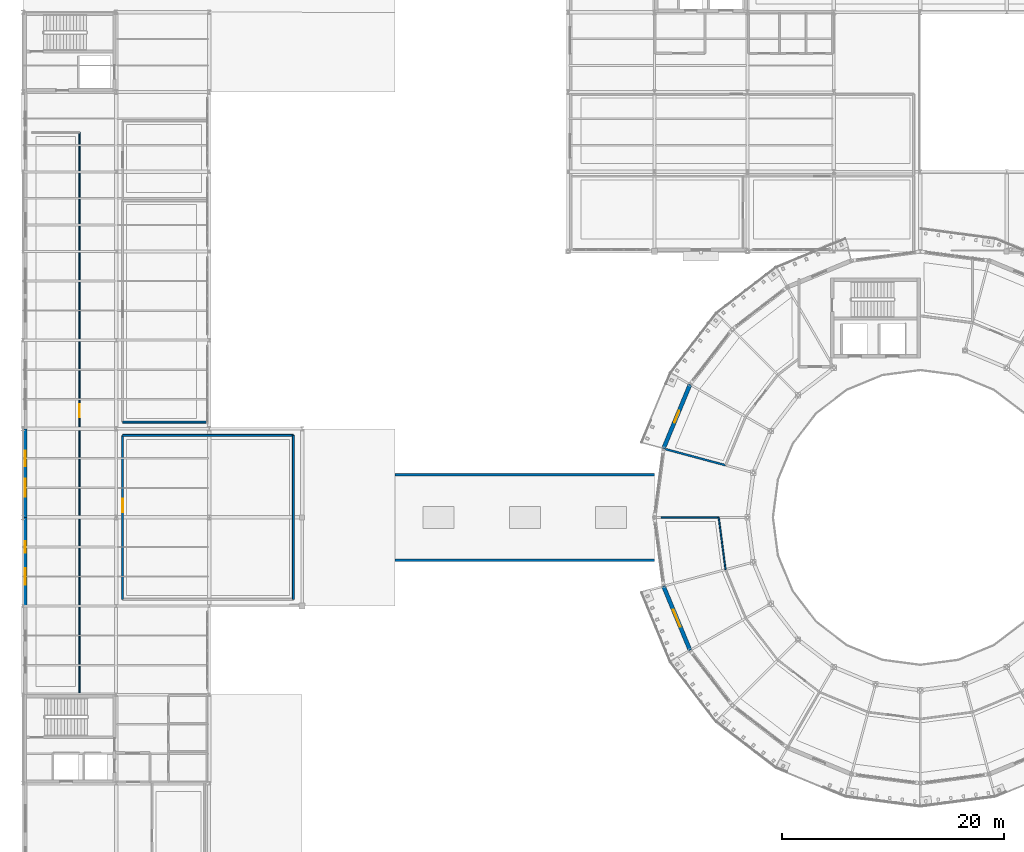
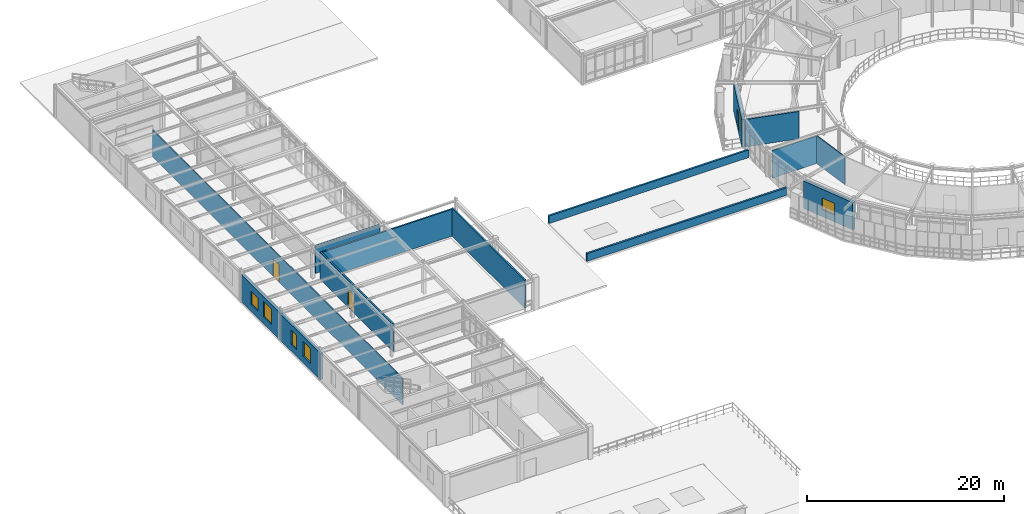
# One storey, part 54 of 70: 14 walls, 5 windows, 3 doors, 8 openings.
"""IFC4 building model written with IfcOpenShell, lengths in metres."""

from ifc_helpers import new_model, si_unit, derived_unit, direction, frame, frame_2d, origin, place, context, subcontext, project, spatial, rectangle, extrude, material, layer, layer_set, type_object, element, fill, save


model = new_model("IFC4")

# Units and contexts
model_context = context("Model", 3, precision=1e-05, world=origin(), true_north=direction((0.0, 1.0)))
body_context = subcontext(model_context, "Body", "Model", "MODEL_VIEW")
ifc_project = project(units=[si_unit("LENGTHUNIT", "METRE"), si_unit("AREAUNIT", "SQUARE_METRE"), si_unit("VOLUMEUNIT", "CUBIC_METRE"), si_unit("PLANEANGLEUNIT", "RADIAN"), si_unit("MASSUNIT", "GRAM", prefix="KILO"), derived_unit("THERMALTRANSMITTANCEUNIT", [(si_unit("POWERUNIT", "WATT"), 1), (si_unit("AREAUNIT", "SQUARE_METRE"), -1), (si_unit("THERMODYNAMICTEMPERATUREUNIT", "KELVIN"), -1)])], contexts=[model_context])

# Site, building, storey
site_placement = place(None, origin())
site = spatial("IfcSite", under=ifc_project, at=site_placement, CompositionType="ELEMENT")
building_placement = place(site_placement, origin())
building = spatial("IfcBuilding", under=site, at=building_placement, Name="Yasenodar Specialist Clinic", CompositionType="ELEMENT")
storey_placement = place(building_placement, frame((0.0, 0.0, 13.199951171875)))
storey = spatial("IfcBuildingStorey", under=building, at=storey_placement, Name="L03", CompositionType="ELEMENT", Elevation=13.199951171875)

# Wall, opening, door
ifc_material_1 = material(Name="Drum Insulated Terracotta Chord Wall", Category="masonry")
ifc_layer_1 = layer(ifc_material_1, 0.364990234375)
ifc_layer_set_1 = layer_set([ifc_layer_1], Name="Drum Insulated Terracotta Chord Wall")
wall_type_1 = type_object("IfcWallType", Name="EW-DRUM-365", PredefinedType="SOLIDWALL", material=ifc_layer_set_1)
wall_1_placement = place(storey_placement, frame((57.81787109375, 65.01171875, 0.0), z_axis=(0.0, 0.0, 1.0), x_axis=(0.382663829839, 0.9238876519, 0.0)))
wall_1 = element("IfcWall", 1, at=wall_1_placement, inside=storey, type_object=wall_type_1, Name="L03 Exterior Facade Wall 0027", PredefinedType="SOLIDWALL", context=body_context, shape_type="SweptSolid", body=[
    extrude(rectangle(XDim=6.26513671875, YDim=0.364990234375, at=frame_2d((3.132568359375, 0.0))), origin(), (0.0, 0.0, 1.0), 3.387939453125),
])
opening_1_placement = place(wall_1_placement, frame((2.5576171875, 0.0, 0.0)))
opening_1 = element("IfcOpeningElement", 2, at=opening_1_placement, cuts=wall_1, Name="Opening BD-02", PredefinedType="OPENING", context=body_context, shape_type="SweptSolid", body=[
    extrude(rectangle(XDim=1.14990234375, YDim=2.199951171875, at=frame_2d((0.574951171875, 1.10009765625))), frame((0.0, 0.1923828125, 0.0), z_axis=(0.0, -1.0, 0.0), x_axis=(1.0, 0.0, 0.0)), (0.0, 0.0, 1.0), 0.385009765625),
])
ifc_material_2 = material(Name="Thermally Broken Bronze Anodized Aluminium and Laminated Glass", Category="aluminium")
door_type_1 = type_object("IfcDoorType", Name="DR-BALC-115", OperationType="NOTDEFINED", PredefinedType="DOOR", material=ifc_material_2)
door_1_placement = place(opening_1_placement, origin())
door_1 = element("IfcDoor", 3, at=door_1_placement, inside=storey, type_object=door_type_1, Name="L03 Drum Balcony Access Door Sector 10", OperationType="SINGLE_SWING_RIGHT", OverallHeight=2.199951171875, OverallWidth=1.14990234375, PredefinedType="DOOR", context=body_context, shape_type="SweptSolid", body=[
    extrude(rectangle(XDim=1.14990234375, YDim=2.199951171875, at=frame_2d((0.574951171875, 1.10009765625))), frame((0.0, 0.02490234375, 0.0), z_axis=(0.0, -1.0, 0.0), x_axis=(1.0, 0.0, 0.0)), (0.0, 0.0, 1.0), 0.050048828125),
])
fill(opening_1, door_1)

# Wall, opening, window
wall_2_placement = place(storey_placement, frame((60.21533203125, 46.800048828125, 0.0), z_axis=(0.0, 0.0, 1.0), x_axis=(-0.382663829839, 0.9238876519, 0.0)))
wall_2 = element("IfcWall", 4, at=wall_2_placement, inside=storey, type_object=wall_type_1, Name="L03 Exterior Facade Wall 0028", PredefinedType="SOLIDWALL", context=body_context, shape_type="SweptSolid", body=[
    extrude(rectangle(XDim=6.26513671875, YDim=0.364990234375, at=frame_2d((3.132568359375, 0.0))), origin(), (0.0, 0.0, 1.0), 3.387939453125),
])
opening_2_placement = place(wall_2_placement, frame((2.3076171875, 0.0, 0.85009765625)))
opening_2 = element("IfcOpeningElement", 5, at=opening_2_placement, cuts=wall_2, Name="Opening W-20", PredefinedType="OPENING", context=body_context, shape_type="SweptSolid", body=[
    extrude(rectangle(XDim=1.64990234375, YDim=1.449951171875, at=frame_2d((0.824951171875, 0.72509765625))), frame((0.0, 0.1923828125, 0.0), z_axis=(0.0, -1.0, 0.0), x_axis=(1.0, 0.0, 0.0)), (0.0, 0.0, 1.0), 0.385009765625),
])
ifc_material_3 = material(Name="Triple Low-E Argon Glazing in Bronze Aluminium Frame", Category="aluminium")
window_type_1 = type_object("IfcWindowType", Name="WIN-EXT-20", PartitioningType="SINGLE_PANEL", PredefinedType="WINDOW", material=ifc_material_3)
window_1_placement = place(opening_2_placement, origin())
window_1 = element("IfcWindow", 6, at=window_1_placement, inside=storey, type_object=window_type_1, Name="L03 Triple-Glazed Reveal Window 0016", OverallHeight=1.449951171875, OverallWidth=1.64990234375, PartitioningType="SINGLE_PANEL", PredefinedType="WINDOW", context=body_context, shape_type="SweptSolid", body=[
    extrude(rectangle(XDim=1.64990234375, YDim=1.449951171875, at=frame_2d((0.824951171875, 0.72509765625))), frame((0.0, 0.030029296875, 0.0), z_axis=(0.0, -1.0, 0.0), x_axis=(1.0, 0.0, 0.0)), (0.0, 0.0, 1.0), 0.06005859375),
])
fill(opening_2, window_1)

# Wall, openings, windows
ifc_material_4 = material(Name="Buff Architectural Terracotta Rainscreen", Category="masonry")
ifc_layer_2 = layer(ifc_material_4, 0.340087890625)
ifc_layer_set_2 = layer_set([ifc_layer_2], Name="Buff Architectural Terracotta Rainscreen")
wall_type_2 = type_object("IfcWallType", Name="EW-TERR-340", PredefinedType="SOLIDWALL", material=ifc_layer_set_2)
wall_3_placement = place(storey_placement, frame((0.199951171875, 50.800048828125, 0.0), z_axis=(0.0, 0.0, 1.0), x_axis=(0.0, 1.0, 0.0)))
wall_3 = element("IfcWall", 7, at=wall_3_placement, inside=storey, type_object=wall_type_2, Name="L03 Exterior Facade Wall 0112", PredefinedType="SOLIDWALL", context=body_context, shape_type="SweptSolid", body=[
    extrude(rectangle(XDim=8.0, YDim=0.340087890625, at=frame_2d((4.0, 0.0))), origin(), (0.0, 0.0, 1.0), 3.278076171875),
])
opening_3_placement = place(wall_3_placement, frame((1.916748046875, 0.0, 0.85009765625)))
opening_3 = element("IfcOpeningElement", 8, at=opening_3_placement, cuts=wall_3, Name="Opening W-03", PredefinedType="OPENING", context=body_context, shape_type="SweptSolid", body=[
    extrude(rectangle(XDim=1.5, YDim=1.85009765625, at=frame_2d((0.75, 0.925048828125))), frame((0.0, 0.18017578125, 0.0), z_axis=(0.0, -1.0, 0.0), x_axis=(1.0, 0.0, 0.0)), (0.0, 0.0, 1.0), 0.360107421875),
])
opening_4_placement = place(wall_3_placement, frame((4.808349609375, 0.0, 0.85009765625)))
opening_4 = element("IfcOpeningElement", 9, at=opening_4_placement, cuts=wall_3, Name="Opening W-10", PredefinedType="OPENING", context=body_context, shape_type="SweptSolid", body=[
    extrude(rectangle(XDim=1.050048828125, YDim=1.75, at=frame_2d((0.52490234375, 0.875))), frame((0.0, 0.18017578125, 0.0), z_axis=(0.0, -1.0, 0.0), x_axis=(1.0, 0.0, 0.0)), (0.0, 0.0, 1.0), 0.360107421875),
])
window_type_2 = type_object("IfcWindowType", Name="WIN-EXT-03", PartitioningType="SINGLE_PANEL", PredefinedType="WINDOW", material=ifc_material_3)
window_2_placement = place(opening_3_placement, origin())
window_2 = element("IfcWindow", 10, at=window_2_placement, inside=storey, type_object=window_type_2, Name="L03 Triple-Glazed Reveal Window 0113", OverallHeight=1.85009765625, OverallWidth=1.5, PartitioningType="SINGLE_PANEL", PredefinedType="WINDOW", context=body_context, shape_type="SweptSolid", body=[
    extrude(rectangle(XDim=1.5, YDim=1.85009765625, at=frame_2d((0.75, 0.925048828125))), frame((0.0, 0.030029296875, 0.0), z_axis=(0.0, -1.0, 0.0), x_axis=(1.0, 0.0, 0.0)), (0.0, 0.0, 1.0), 0.06005859375),
])
fill(opening_3, window_2)
window_type_3 = type_object("IfcWindowType", Name="WIN-EXT-10", PartitioningType="SINGLE_PANEL", PredefinedType="WINDOW", material=ifc_material_3)
window_3_placement = place(opening_4_placement, origin())
window_3 = element("IfcWindow", 11, at=window_3_placement, inside=storey, type_object=window_type_3, Name="L03 Triple-Glazed Reveal Window 0114", OverallHeight=1.75, OverallWidth=1.050048828125, PartitioningType="SINGLE_PANEL", PredefinedType="WINDOW", context=body_context, shape_type="SweptSolid", body=[
    extrude(rectangle(XDim=1.050048828125, YDim=1.75, at=frame_2d((0.52490234375, 0.875))), frame((0.0, 0.030029296875, 0.0), z_axis=(0.0, -1.0, 0.0), x_axis=(1.0, 0.0, 0.0)), (0.0, 0.0, 1.0), 0.06005859375),
])
fill(opening_4, window_3)

wall_4_placement = place(storey_placement, frame((0.199951171875, 58.800048828125, 0.0), z_axis=(0.0, 0.0, 1.0), x_axis=(0.0, 1.0, 0.0)))
wall_4 = element("IfcWall", 12, at=wall_4_placement, inside=storey, type_object=wall_type_2, Name="L03 Exterior Facade Wall 0113", PredefinedType="SOLIDWALL", context=body_context, shape_type="SweptSolid", body=[
    extrude(rectangle(XDim=8.0, YDim=0.340087890625, at=frame_2d((4.0, 0.0))), origin(), (0.0, 0.0, 1.0), 3.338134765625),
])
opening_5_placement = place(wall_4_placement, frame((1.86669921875, 0.0, 0.85009765625)))
opening_5 = element("IfcOpeningElement", 13, at=opening_5_placement, cuts=wall_4, Name="Opening W-04", PredefinedType="OPENING", context=body_context, shape_type="SweptSolid", body=[
    extrude(rectangle(XDim=1.60009765625, YDim=1.89990234375, at=frame_2d((0.800048828125, 0.949951171875))), frame((0.0, 0.18017578125, 0.0), z_axis=(0.0, -1.0, 0.0), x_axis=(1.0, 0.0, 0.0)), (0.0, 0.0, 1.0), 0.360107421875),
])
opening_6_placement = place(wall_4_placement, frame((4.63330078125, 0.0, 0.85009765625)))
opening_6 = element("IfcOpeningElement", 14, at=opening_6_placement, cuts=wall_4, Name="Opening W-11", PredefinedType="OPENING", context=body_context, shape_type="SweptSolid", body=[
    extrude(rectangle(XDim=1.39990234375, YDim=1.64990234375, at=frame_2d((0.699951171875, 0.824951171875))), frame((0.0, 0.18017578125, 0.0), z_axis=(0.0, -1.0, 0.0), x_axis=(1.0, 0.0, 0.0)), (0.0, 0.0, 1.0), 0.360107421875),
])
window_type_4 = type_object("IfcWindowType", Name="WIN-EXT-04", PartitioningType="SINGLE_PANEL", PredefinedType="WINDOW", material=ifc_material_3)
window_4_placement = place(opening_5_placement, origin())
window_4 = element("IfcWindow", 15, at=window_4_placement, inside=storey, type_object=window_type_4, Name="L03 Triple-Glazed Reveal Window 0115", OverallHeight=1.89990234375, OverallWidth=1.60009765625, PartitioningType="SINGLE_PANEL", PredefinedType="WINDOW", context=body_context, shape_type="SweptSolid", body=[
    extrude(rectangle(XDim=1.60009765625, YDim=1.89990234375, at=frame_2d((0.800048828125, 0.949951171875))), frame((0.0, 0.030029296875, 0.0), z_axis=(0.0, -1.0, 0.0), x_axis=(1.0, 0.0, 0.0)), (0.0, 0.0, 1.0), 0.06005859375),
])
fill(opening_5, window_4)
window_type_5 = type_object("IfcWindowType", Name="WIN-EXT-11", PartitioningType="SINGLE_PANEL", PredefinedType="WINDOW", material=ifc_material_3)
window_5_placement = place(opening_6_placement, origin())
window_5 = element("IfcWindow", 16, at=window_5_placement, inside=storey, type_object=window_type_5, Name="L03 Triple-Glazed Reveal Window 0116", OverallHeight=1.64990234375, OverallWidth=1.39990234375, PartitioningType="SINGLE_PANEL", PredefinedType="WINDOW", context=body_context, shape_type="SweptSolid", body=[
    extrude(rectangle(XDim=1.39990234375, YDim=1.64990234375, at=frame_2d((0.699951171875, 0.824951171875))), frame((0.0, 0.030029296875, 0.0), z_axis=(0.0, -1.0, 0.0), x_axis=(1.0, 0.0, 0.0)), (0.0, 0.0, 1.0), 0.06005859375),
])
fill(opening_6, window_5)

# Wall, opening, door
ifc_material_5 = material(Name="Lightweight Counseling Partition")
ifc_layer_3 = layer(ifc_material_5, 0.114990234375)
ifc_layer_set_3 = layer_set([ifc_layer_3], Name="Lightweight Counseling Partition")
wall_type_3 = type_object("IfcWallType", Name="IW-PART-115", PredefinedType="PARTITIONING", material=ifc_layer_set_3)
wall_5_placement = place(storey_placement, frame((5.10009765625, 42.780029296875, 0.0), z_axis=(0.0, 0.0, 1.0), x_axis=(0.0, 1.0, 0.0)))
wall_5 = element("IfcWall", 17, at=wall_5_placement, inside=storey, type_object=wall_type_3, Name="L03 Ophthalmology Examination Suite Partition", PredefinedType="PARTITIONING", context=body_context, shape_type="SweptSolid", body=[
    extrude(rectangle(XDim=50.77001953125, YDim=0.114990234375, at=frame_2d((25.385009765625, 0.0))), origin(), (0.0, 0.0, 1.0), 3.278076171875),
])
opening_7_placement = place(wall_5_placement, frame((25.044921875, 0.0, 0.0)))
opening_7 = element("IfcOpeningElement", 18, at=opening_7_placement, cuts=wall_5, Name="Opening D-06", PredefinedType="OPENING", context=body_context, shape_type="SweptSolid", body=[
    extrude(rectangle(XDim=1.179931640625, YDim=2.199951171875, at=frame_2d((0.58984375, 1.10009765625))), frame((0.0, 0.0673828125, 0.0), z_axis=(0.0, -1.0, 0.0), x_axis=(1.0, 0.0, 0.0)), (0.0, 0.0, 1.0), 0.135009765625),
])
ifc_material_6 = material(Name="Powder-Coated Steel and Acoustic Laminate Leaf", Category="steel")
door_type_2 = type_object("IfcDoorType", Name="DR-CLN-118", OperationType="NOTDEFINED", PredefinedType="DOOR", material=ifc_material_6)
door_2_placement = place(opening_7_placement, origin())
door_2 = element("IfcDoor", 19, at=door_2_placement, inside=storey, type_object=door_type_2, Name="L03 Ophthalmology Examination Suite Door", OperationType="SINGLE_SWING_LEFT", OverallHeight=2.199951171875, OverallWidth=1.179931640625, PredefinedType="DOOR", context=body_context, shape_type="SweptSolid", body=[
    extrude(rectangle(XDim=1.179931640625, YDim=2.199951171875, at=frame_2d((0.58984375, 1.10009765625))), frame((0.0, 0.02490234375, 0.0), z_axis=(0.0, -1.0, 0.0), x_axis=(1.0, 0.0, 0.0)), (0.0, 0.0, 1.0), 0.050048828125),
])
fill(opening_7, door_2)

# Walls
ifc_material_7 = material(Name="Clinical Sub-Division Partition")
ifc_layer_4 = layer(ifc_material_7, 0.125)
ifc_layer_set_4 = layer_set([ifc_layer_4], Name="Clinical Sub-Division Partition")
wall_type_4 = type_object("IfcWallType", Name="IW-PART-125", PredefinedType="PARTITIONING", material=ifc_layer_set_4)
wall_6_placement = place(storey_placement, frame((62.800048828125, 58.800048828125, 0.0), z_axis=(0.0, 0.0, 1.0), x_axis=(0.130520975042, -0.991445548214, 0.0)))
element("IfcWall", 20, at=wall_6_placement, inside=storey, type_object=wall_type_4, Name="L03 Cardiac Arrhythmia Day-Monitoring Suite Partition", PredefinedType="PARTITIONING", context=body_context, shape_type="SweptSolid", body=[
    extrude(rectangle(XDim=4.7509765625, YDim=0.125, at=frame_2d((2.37548828125, 0.0))), origin(), (0.0, 0.0, 1.0), 3.41796875),
])
wall_7_placement = place(storey_placement, frame((57.60009765625, 58.800048828125, 0.0), z_axis=(0.0, 0.0, 1.0), x_axis=(1.0, 0.0, 0.0)))
element("IfcWall", 21, at=wall_7_placement, inside=storey, type_object=wall_type_4, Name="L03 Cardiac Arrhythmia Day-Monitoring Suite Partition", PredefinedType="PARTITIONING", context=body_context, shape_type="SweptSolid", body=[
    extrude(rectangle(XDim=5.199951171875, YDim=0.125, at=frame_2d((2.60009765625, 0.0))), origin(), (0.0, 0.0, 1.0), 3.41796875),
])
ifc_material_8 = material(Name="Hygienic Double-Stud Clinical Partition")
ifc_layer_5 = layer(ifc_material_8, 0.179931640625)
ifc_layer_set_5 = layer_set([ifc_layer_5], Name="Hygienic Double-Stud Clinical Partition")
wall_type_5 = type_object("IfcWallType", Name="IW-PROC-180", PredefinedType="PARTITIONING", material=ifc_layer_set_5)
wall_8_placement = place(storey_placement, frame((63.420166015625, 63.510498046875, 0.0), z_axis=(0.0, 0.0, 1.0), x_axis=(-0.965922914043, 0.258829913508, 0.0)))
element("IfcWall", 22, at=wall_8_placement, inside=storey, type_object=wall_type_5, Name="L03 Ambulatory Cataract Recovery Suite Partition", PredefinedType="PARTITIONING", context=body_context, shape_type="SweptSolid", body=[
    extrude(rectangle(XDim=5.635986328125, YDim=0.179931640625, at=frame_2d((2.81787109375, 0.0))), origin(), (0.0, 0.0, 1.0), 3.387939453125),
])

# Wall, opening, door
wall_9_placement = place(storey_placement, frame((9.0, 51.39990234375, 0.0), z_axis=(0.0, 0.0, 1.0), x_axis=(0.0, 1.0, 0.0)))
wall_9 = element("IfcWall", 23, at=wall_9_placement, inside=storey, type_object=wall_type_5, Name="L03 Orthopedic and Spine Clinic Partition", PredefinedType="PARTITIONING", context=body_context, shape_type="SweptSolid", body=[
    extrude(rectangle(XDim=14.800048828125, YDim=0.179931640625, at=frame_2d((7.39990234375, 0.0))), origin(), (0.0, 0.0, 1.0), 3.387939453125),
])
opening_8_placement = place(wall_9_placement, frame((7.85009765625, 0.0, 0.0)))
opening_8 = element("IfcOpeningElement", 24, at=opening_8_placement, cuts=wall_9, Name="Opening D-07", PredefinedType="OPENING", context=body_context, shape_type="SweptSolid", body=[
    extrude(rectangle(XDim=1.239990234375, YDim=2.199951171875, at=frame_2d((0.6201171875, 1.10009765625))), frame((0.0, 0.10009765625, 0.0), z_axis=(0.0, -1.0, 0.0), x_axis=(1.0, 0.0, 0.0)), (0.0, 0.0, 1.0), 0.199951171875),
])
door_type_3 = type_object("IfcDoorType", Name="DR-CLN-124", OperationType="NOTDEFINED", PredefinedType="DOOR", material=ifc_material_6)
door_3_placement = place(opening_8_placement, origin())
door_3 = element("IfcDoor", 25, at=door_3_placement, inside=storey, type_object=door_type_3, Name="L03 Orthopedic and Spine Clinic Door", OperationType="SINGLE_SWING_RIGHT", OverallHeight=2.199951171875, OverallWidth=1.239990234375, PredefinedType="DOOR", context=body_context, shape_type="SweptSolid", body=[
    extrude(rectangle(XDim=1.239990234375, YDim=2.199951171875, at=frame_2d((0.6201171875, 1.10009765625))), frame((0.0, 0.02490234375, 0.0), z_axis=(0.0, -1.0, 0.0), x_axis=(1.0, 0.0, 0.0)), (0.0, 0.0, 1.0), 0.050048828125),
])
fill(opening_8, door_3)

# Walls
wall_10_placement = place(storey_placement, frame((9.0, 66.199951171875, 0.0), z_axis=(0.0, 0.0, 1.0), x_axis=(1.0, 0.0, 0.0)))
element("IfcWall", 26, at=wall_10_placement, inside=storey, type_object=wall_type_5, Name="L03 Orthopedic and Spine Clinic Partition", PredefinedType="PARTITIONING", context=body_context, shape_type="SweptSolid", body=[
    extrude(rectangle(XDim=15.39990234375, YDim=0.179931640625, at=frame_2d((7.699951171875, 0.0))), origin(), (0.0, 0.0, 1.0), 3.328125),
])
wall_11_placement = place(storey_placement, frame((24.39990234375, 66.199951171875, 0.0), z_axis=(0.0, 0.0, 1.0), x_axis=(0.0, -1.0, 0.0)))
element("IfcWall", 27, at=wall_11_placement, inside=storey, type_object=wall_type_5, Name="L03 Orthopedic and Spine Clinic Partition", PredefinedType="PARTITIONING", context=body_context, shape_type="SweptSolid", body=[
    extrude(rectangle(XDim=14.800048828125, YDim=0.179931640625, at=frame_2d((7.39990234375, 0.0))), origin(), (0.0, 0.0, 1.0), 3.447998046875),
])
wall_12_placement = place(storey_placement, frame((16.590087890625, 67.39990234375, 0.0), z_axis=(0.0, 0.0, 1.0), x_axis=(-1.0, 0.0, 0.0)))
element("IfcWall", 28, at=wall_12_placement, inside=storey, type_object=wall_type_5, Name="L03 Plaster and Splint Procedure Room Partition", PredefinedType="PARTITIONING", context=body_context, shape_type="SweptSolid", body=[
    extrude(rectangle(XDim=7.590087890625, YDim=0.179931640625, at=frame_2d((3.794921875, 0.0))), origin(), (0.0, 0.0, 1.0), 3.3779296875),
])
ifc_material_9 = material(Name="Precast concrete C40/50", Category="concrete")
ifc_layer_6 = layer(ifc_material_9, 0.219970703125)
ifc_layer_set_6 = layer_set([ifc_layer_6], Name="Precast concrete C40/50")
wall_type_6 = type_object("IfcWallType", Name="WL-PAR-220", PredefinedType="PARAPET", material=ifc_layer_set_6)
for number, where, z_axis, x_axis, name in (
    (29, (33.60009765625, 62.64990234375, 0.449951171875), (0.0, 0.0, 1.0), (1.0, 0.0, 0.0), "L03 Stone-Coped Roof Parapet 04"),
    (30, (57.0, 54.949951171875, 0.449951171875), (0.0, 0.0, 1.0), (-1.0, 0.0, 0.0), "L03 Stone-Coped Roof Parapet 05"),
):
    element("IfcWall", number, at=place(storey_placement, frame(where, z_axis=z_axis, x_axis=x_axis)), inside=storey, type_object=wall_type_6, Name=name, PredefinedType="PARAPET", context=body_context, shape_type="SweptSolid", body=[
        extrude(rectangle(XDim=23.39990234375, YDim=0.219970703125, at=frame_2d((11.699951171875, 0.0))), origin(), (0.0, 0.0, 1.0), 0.9501953125),
    ])

save(model, "model.ifc")
